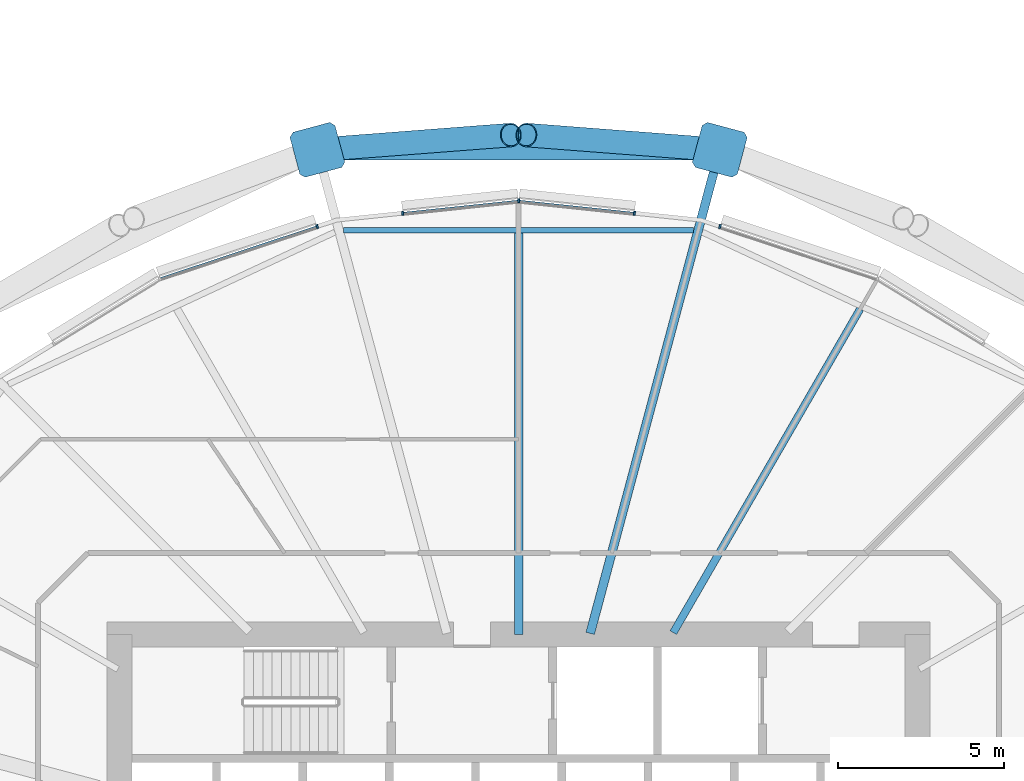
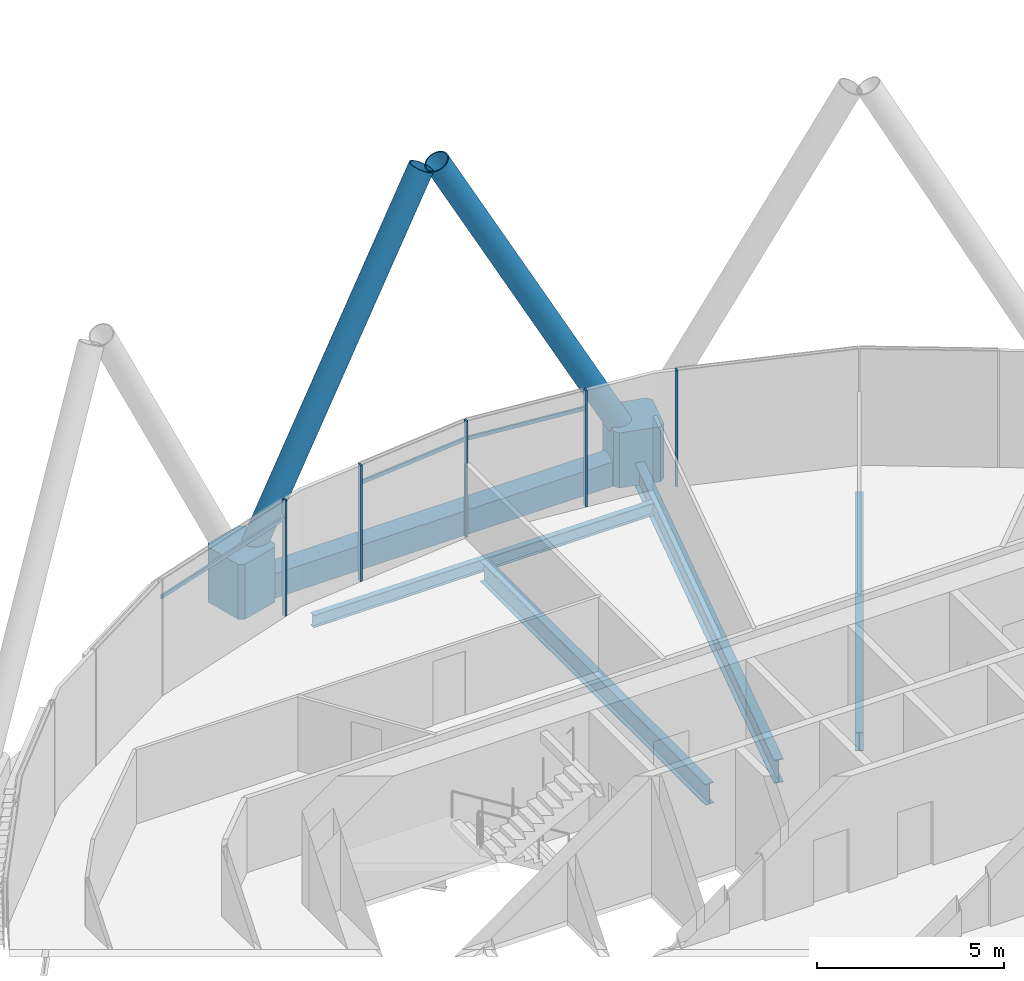
# One storey, part 11 of 38: 12 members, 5 beams, 1 element without a shape of its own.
"""IFC4 building model written with IfcOpenShell, lengths in metres."""

from ifc_helpers import new_model, si_unit, direction, frame, origin, origin_2d, place, context, subcontext, project, spatial, polyline, rectangle, hollow_rectangle, hollow_circle, i_section, outline, extrude, material, material_profile, profile_set, type_object, element, aggregate, save


model = new_model("IFC4")

# Units and contexts
model_context = context("Model", 3, precision=1e-05, world=origin(), true_north=direction((0.0, 1.0)))
body_context = subcontext(model_context, "Body", "Model", "MODEL_VIEW")
ifc_project = project(units=[si_unit("LENGTHUNIT", "METRE"), si_unit("AREAUNIT", "SQUARE_METRE"), si_unit("VOLUMEUNIT", "CUBIC_METRE"), si_unit("PLANEANGLEUNIT", "RADIAN"), si_unit("MASSUNIT", "GRAM", prefix="KILO")], contexts=[model_context])

# Site, building, storey
site_placement = place(None, origin())
site = spatial("IfcSite", under=ifc_project, at=site_placement, CompositionType="ELEMENT")
building_placement = place(site_placement, origin())
building = spatial("IfcBuilding", under=site, at=building_placement, Name="Rimbun Link Towers", CompositionType="ELEMENT")
storey_placement = place(building_placement, frame((0.0, 0.0, 93.0)))
storey = spatial("IfcBuildingStorey", under=building, at=storey_placement, Name="L22", CompositionType="ELEMENT", Elevation=93.0)

# Curtain wall, members
ifc_material_1 = material(Name="Aluminium 6063-T6 and low-iron glass", Category="aluminium")
curtain_wall_type = type_object("IfcCurtainWallType", Name="CW1-Z2 unitised vision wall (zone 2)", PredefinedType="NOTDEFINED", material=ifc_material_1)
curtain_wall_placement = place(storey_placement, origin())
curtain_wall = element("IfcCurtainWall", 1, at=curtain_wall_placement, inside=storey, type_object=curtain_wall_type, Name="CW1 L22 T1", PredefinedType="NOTDEFINED")
ifc_material_2 = material(Name="Aluminium 6063-T6", Category="aluminium")
ifc_material_profile_1 = material_profile(ifc_material_2, rectangle(XDim=0.1201171875, YDim=0.06005859375, at=origin_2d()), Name="MULLION 60X120")
ifc_profile_set_1 = profile_set([ifc_material_profile_1], Name="Aluminium 6063-T6")
member_type_1 = type_object("IfcMemberType", Name="CW1 mullion 60X120", PredefinedType="MULLION", material=ifc_profile_set_1)
member_1_placement = place(storey_placement, frame((-25.695068359375, 20.26953125, 0.0), z_axis=(0.0, 0.0, 1.0), x_axis=(0.314555783293, 0.949238989505, 0.0)))
member_1 = element("IfcMember", 2, at=member_1_placement, type_object=member_type_1, Name="CW1 mullion", PredefinedType="MULLION", context=body_context, shape_type="SweptSolid", body=[
    extrude(rectangle(XDim=0.1201171875, YDim=0.06005859375, at=origin_2d()), origin(), (0.0, 0.0, 1.0), 3.800048828125),
])
member_2_placement = place(storey_placement, frame((-31.75, 21.037109375, 0.0), z_axis=(0.0, 0.0, 1.0), x_axis=(0.0, 1.0, 0.0)))
member_2 = element("IfcMember", 3, at=member_2_placement, type_object=member_type_1, Name="CW1 mullion", PredefinedType="MULLION", context=body_context, shape_type="SweptSolid", body=[
    extrude(rectangle(XDim=0.1201171875, YDim=0.06005859375, at=origin_2d()), origin(), (0.0, 0.0, 1.0), 3.800048828125),
])
member_3_placement = place(storey_placement, frame((-28.26611328125, 20.67041015625, 0.0), z_axis=(0.0, 0.0, 1.0), x_axis=(0.104734976112, 0.994500168315, 0.0)))
member_3 = element("IfcMember", 4, at=member_3_placement, type_object=member_type_1, Name="CW1 mullion", PredefinedType="MULLION", context=body_context, shape_type="SweptSolid", body=[
    extrude(rectangle(XDim=0.1201171875, YDim=0.06005859375, at=origin_2d()), origin(), (0.0, 0.0, 1.0), 3.800048828125),
])
member_4_placement = place(storey_placement, frame((-35.23388671875, 20.67041015625, 0.0), z_axis=(0.0, 0.0, 1.0), x_axis=(-0.104734976112, 0.994500168315, 0.0)))
member_4 = element("IfcMember", 5, at=member_4_placement, type_object=member_type_1, Name="CW1 mullion", PredefinedType="MULLION", context=body_context, shape_type="SweptSolid", body=[
    extrude(rectangle(XDim=0.1201171875, YDim=0.06005859375, at=origin_2d()), origin(), (0.0, 0.0, 1.0), 3.800048828125),
])
member_5_placement = place(storey_placement, frame((-37.804931640625, 20.26953125, 0.0), z_axis=(0.0, 0.0, 1.0), x_axis=(-0.314555783293, 0.949238989505, 0.0)))
member_5 = element("IfcMember", 6, at=member_5_placement, type_object=member_type_1, Name="CW1 mullion", PredefinedType="MULLION", context=body_context, shape_type="SweptSolid", body=[
    extrude(rectangle(XDim=0.1201171875, YDim=0.06005859375, at=origin_2d()), origin(), (0.0, 0.0, 1.0), 3.800048828125),
])
ifc_material_3 = material(Name="Aluminium 6063-T6", Category="aluminium")
ifc_material_profile_2 = material_profile(ifc_material_3, rectangle(XDim=0.06005859375, YDim=0.1201171875, at=origin_2d()), Name="TRANSOM 60X120")
ifc_profile_set_2 = profile_set([ifc_material_profile_2], Name="Aluminium 6063-T6")
member_type_2 = type_object("IfcMemberType", Name="CW1 transom 60X120", PredefinedType="USERDEFINED", material=ifc_profile_set_2)
member_6_placement = place(storey_placement, frame((-31.714111328125, 21.031494140625, 3.199951171875), z_axis=(0.994503117246, -0.104706971059, 0.0), x_axis=(0.104706971059, 0.994503117246, 0.0)))
member_6 = element("IfcMember", 7, at=member_6_placement, type_object=member_type_2, Name="CW1 transom", ObjectType="TRANSOM", PredefinedType="USERDEFINED", context=body_context, shape_type="SweptSolid", body=[
    extrude(rectangle(XDim=0.06005859375, YDim=0.1201171875, at=origin_2d()), origin(), (0.0, 0.0, 1.0), 3.436767578125),
])
member_7_placement = place(storey_placement, frame((-35.203857421875, 20.671630859375, 3.199951171875), z_axis=(0.994503117246, 0.104706971059, 0.0), x_axis=(-0.104706971059, 0.994503117246, 0.0)))
member_7 = element("IfcMember", 8, at=member_7_placement, type_object=member_type_2, Name="CW1 transom", ObjectType="TRANSOM", PredefinedType="USERDEFINED", context=body_context, shape_type="SweptSolid", body=[
    extrude(rectangle(XDim=0.06005859375, YDim=0.1201171875, at=origin_2d()), origin(), (0.0, 0.0, 1.0), 3.436767578125),
])
member_8_placement = place(storey_placement, frame((-42.5048828125, 18.7099609375, 3.199951171875), z_axis=(0.949232441731, 0.314575541906, 0.0), x_axis=(-0.314575541906, 0.949232441731, 0.0)))
member_8 = element("IfcMember", 9, at=member_8_placement, type_object=member_type_2, Name="CW1 transom", ObjectType="TRANSOM", PredefinedType="USERDEFINED", context=body_context, shape_type="SweptSolid", body=[
    extrude(rectangle(XDim=0.06005859375, YDim=0.1201171875, at=origin_2d()), origin(), (0.0, 0.0, 1.0), 4.921875),
])
aggregate(curtain_wall, [member_1, member_2, member_3, member_4, member_5, member_6, member_7, member_8])

# Members
ifc_material_4 = material(Name="Steel S460NH", Category="steel")
ifc_material_profile_3 = material_profile(ifc_material_4, hollow_circle(Radius=0.355712890625, WallThickness=0.031982421875, at=origin_2d()), Name="Diagrid diagonal CHS 711x32")
ifc_profile_set_3 = profile_set([ifc_material_profile_3], Name="Steel S460NH")
member_type_3 = type_object("IfcMemberType", Name="Diagrid diagonal CHS 711x32", PredefinedType="BRACE", material=ifc_profile_set_3)
for number, where, z_axis, x_axis, name in (
    (10, (-25.935302734375, 22.592529296875, 0.44140625), (-0.468418530973, 0.035882441497, 0.882777735465), (-0.076379604456, -0.99707881134, 0.0), "Diagrid diagonal T1 L22-L25 05b"),
    (11, (-37.564697265625, 22.592529296875, 0.44140625), (0.468418530973, 0.035882441497, 0.882777735465), (-0.076379604456, 0.99707881134, 0.0), "Diagrid diagonal T1 L22-L25 07a"),
):
    element("IfcMember", number, at=place(storey_placement, frame(where, z_axis=z_axis, x_axis=x_axis)), inside=storey, type_object=member_type_3, Name=name, PredefinedType="BRACE", context=body_context, shape_type="SweptSolid", body=[
        extrude(hollow_circle(Radius=0.355712890625, WallThickness=0.031982421875, at=origin_2d()), origin(), (0.0, 0.0, 1.0), 11.91357421875),
    ])
ifc_material_5 = material(Name="Cast steel G20Mn5+QT, Rp0.2 300 MPa", Category="steel")
ifc_material_profile_4 = material_profile(ifc_material_5, outline(polyline([(0.699951171875, -0.570068359375), (0.699951171875, 0.570068359375), (0.570068359375, 0.699951171875), (-0.570068359375, 0.699951171875), (-0.699951171875, 0.570068359375), (-0.699951171875, -0.570068359375), (-0.570068359375, -0.699951171875), (0.570068359375, -0.699951171875), (0.699951171875, -0.570068359375)])), Name="NODE 1400x1400")
ifc_profile_set_4 = profile_set([ifc_material_profile_4], Name="Cast steel G20Mn5+QT, Rp0.2 300 MPa")
member_type_4 = type_object("IfcMemberType", Name="Diagrid node cast 1400", PredefinedType="USERDEFINED", material=ifc_profile_set_4)
for number, where, z_axis, x_axis, name in (
    (12, (-25.701171875, 22.57470703125, -0.89990234375), (0.0, 0.0, 1.0), (0.258819045103, 0.965925826289, 0.0), "Diagrid node L22 05"),
    (13, (-37.798828125, 22.57470703125, -0.89990234375), (0.0, 0.0, 1.0), (-0.258819045103, 0.965925826289, 0.0), "Diagrid node L22 07"),
):
    element("IfcMember", number, at=place(storey_placement, frame(where, z_axis=z_axis, x_axis=x_axis)), inside=storey, type_object=member_type_4, Name=name, ObjectType="Diagrid node", PredefinedType="USERDEFINED", context=body_context, shape_type="SweptSolid", body=[
        extrude(outline(polyline([(0.699951171875, -0.570068359375), (0.699951171875, 0.570068359375), (0.570068359375, 0.699951171875), (-0.570068359375, 0.699951171875), (-0.699951171875, 0.570068359375), (-0.699951171875, -0.570068359375), (-0.570068359375, -0.699951171875), (0.570068359375, -0.699951171875), (0.699951171875, -0.570068359375)])), origin(), (0.0, 0.0, 1.0), 1.7998046875),
    ])

# Beams
ifc_material_6 = material(Name="Steel S355J2", Category="steel")
ifc_material_profile_5 = material_profile(ifc_material_6, hollow_rectangle(XDim=0.60009765625, YDim=0.800048828125, WallThickness=0.0400390625, at=origin_2d()), Name="Exoskeleton ring girder BOX 600x800x40")
ifc_profile_set_5 = profile_set([ifc_material_profile_5], Name="Steel S355J2")
beam_type_1 = type_object("IfcBeamType", Name="Exoskeleton ring girder BOX 600x800x40", PredefinedType="BEAM", material=ifc_profile_set_5)
beam_1_placement = place(storey_placement, frame((-26.401123046875, 22.57470703125, -0.56005859375), z_axis=(-1.0, 0.0, 0.0), x_axis=(0.0, -1.0, 0.0)))
element("IfcBeam", 14, at=beam_1_placement, inside=storey, type_object=beam_type_1, Name="Exoskeleton ring girder L22 02", PredefinedType="BEAM", context=body_context, shape_type="SweptSolid", body=[
    extrude(hollow_rectangle(XDim=0.60009765625, YDim=0.800048828125, WallThickness=0.0400390625, at=origin_2d()), origin(), (0.0, 0.0, 1.0), 10.69775390625),
])
ifc_material_7 = material(Name="Steel S355J2", Category="steel")
ifc_material_profile_6 = material_profile(ifc_material_7, i_section(OverallWidth=0.177978515625, OverallDepth=0.406494140625, WebThickness=0.0078125, FlangeThickness=0.0126953125, at=origin_2d()), Name="UB 406x178x60")
ifc_profile_set_6 = profile_set([ifc_material_profile_6], Name="Steel S355J2")
beam_type_2 = type_object("IfcBeamType", Name="UB 406x178x60", PredefinedType="BEAM", material=ifc_profile_set_6)
beam_2_placement = place(storey_placement, frame((-26.488037109375, 20.15673828125, -0.36328125), z_axis=(-1.0, 0.0, 0.0), x_axis=(0.0, -1.0, 0.0)))
element("IfcBeam", 15, at=beam_2_placement, inside=storey, type_object=beam_type_2, Name="Edge beam T1 L22 05-07", PredefinedType="BEAM", context=body_context, shape_type="SweptSolid", body=[
    extrude(i_section(OverallWidth=0.177978515625, OverallDepth=0.406494140625, WebThickness=0.0078125, FlangeThickness=0.0126953125, at=origin_2d()), origin(), (0.0, 0.0, 1.0), 10.52392578125),
])
ifc_material_8 = material(Name="Steel S355J2", Category="steel")
ifc_material_profile_7 = material_profile(ifc_material_8, i_section(OverallWidth=0.2275390625, OverallDepth=0.6025390625, WebThickness=0.010498046875, FlangeThickness=0.014892578125, at=origin_2d()), Name="UB 610x229x101")
ifc_profile_set_7 = profile_set([ifc_material_profile_7], Name="Steel S355J2")
beam_type_3 = type_object("IfcBeamType", Name="UB 610x229x101", PredefinedType="BEAM", material=ifc_profile_set_7)
beam_3_placement = place(storey_placement, frame((-27.097900390625, 8.057861328125, -0.461181640625), z_axis=(0.50001148964, 0.866018770136, 0.0), x_axis=(-0.866018770136, 0.50001148964, 0.0)))
element("IfcBeam", 16, at=beam_3_placement, inside=storey, type_object=beam_type_3, Name="Radial beam T1 L22 04", PredefinedType="BEAM", context=body_context, shape_type="SweptSolid", body=[
    extrude(i_section(OverallWidth=0.2275390625, OverallDepth=0.6025390625, WebThickness=0.010498046875, FlangeThickness=0.014892578125, at=origin_2d()), origin(), (0.0, 0.0, 1.0), 11.235595703125),
])
ifc_material_9 = material(Name="Steel S355J2", Category="steel")
ifc_material_profile_8 = material_profile(ifc_material_9, i_section(OverallWidth=0.253662109375, OverallDepth=0.68359375, WebThickness=0.012451171875, FlangeThickness=0.01904296875, at=origin_2d()), Name="UB 686x254x140")
ifc_profile_set_8 = profile_set([ifc_material_profile_8], Name="Steel S355J2")
beam_type_4 = type_object("IfcBeamType", Name="UB 686x254x140", PredefinedType="BEAM", material=ifc_profile_set_8)
beam_4_placement = place(storey_placement, frame((-31.75, 8.0009765625, -0.501708984375), z_axis=(0.0, 1.0, 0.0), x_axis=(-1.0, 0.0, 0.0)))
element("IfcBeam", 17, at=beam_4_placement, inside=storey, type_object=beam_type_4, Name="Radial beam T1 L22 06", PredefinedType="BEAM", context=body_context, shape_type="SweptSolid", body=[
    extrude(i_section(OverallWidth=0.253662109375, OverallDepth=0.68359375, WebThickness=0.012451171875, FlangeThickness=0.01904296875, at=origin_2d()), origin(), (0.0, 0.0, 1.0), 12.06591796875),
])
ifc_material_10 = material(Name="Steel S355J2", Category="steel")
ifc_material_profile_9 = material_profile(ifc_material_10, i_section(OverallWidth=0.2666015625, OverallDepth=0.76220703125, WebThickness=0.014404296875, FlangeThickness=0.021484375, at=origin_2d()), Name="UB 762x267x173")
ifc_profile_set_9 = profile_set([ifc_material_profile_9], Name="Steel S355J2")
beam_type_5 = type_object("IfcBeamType", Name="UB 762x267x173", PredefinedType="BEAM", material=ifc_profile_set_9)
beam_5_placement = place(storey_placement, frame((-29.5966796875, 8.035400390625, -0.541015625), z_axis=(0.258804850559, 0.965929629594, 0.0), x_axis=(-0.965929629594, 0.258804850559, 0.0)))
element("IfcBeam", 18, at=beam_5_placement, inside=storey, type_object=beam_type_5, Name="Radial beam T1 L22 05", PredefinedType="BEAM", context=body_context, shape_type="SweptSolid", body=[
    extrude(i_section(OverallWidth=0.2666015625, OverallDepth=0.76220703125, WebThickness=0.014404296875, FlangeThickness=0.021484375, at=origin_2d()), origin(), (0.0, 0.0, 1.0), 14.552001953125),
])

save(model, "model.ifc")
